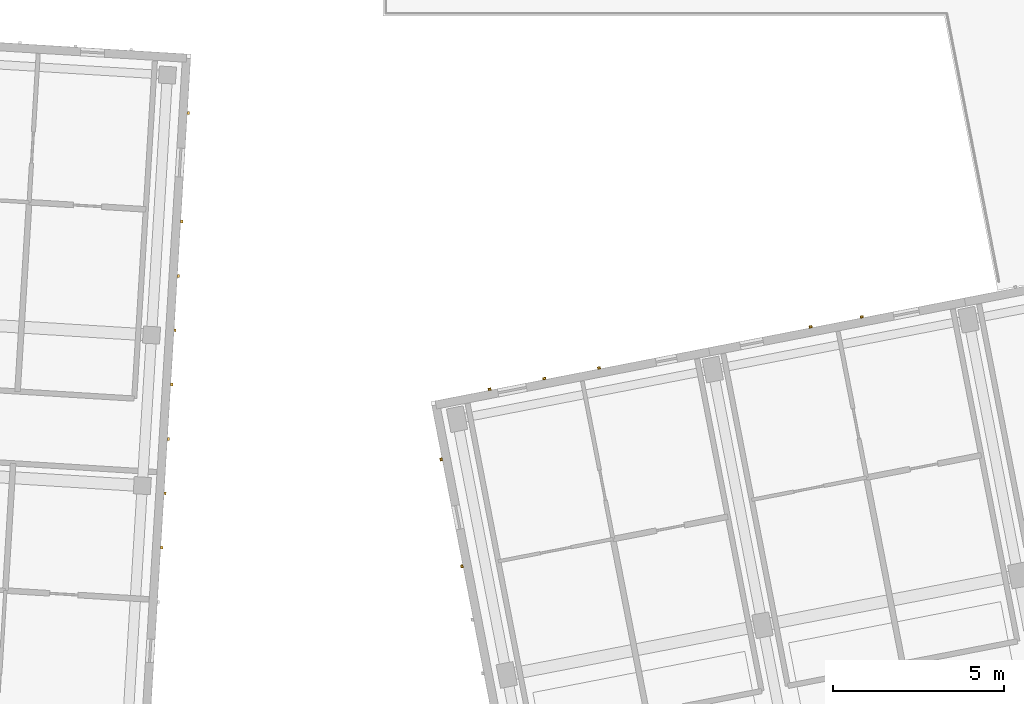
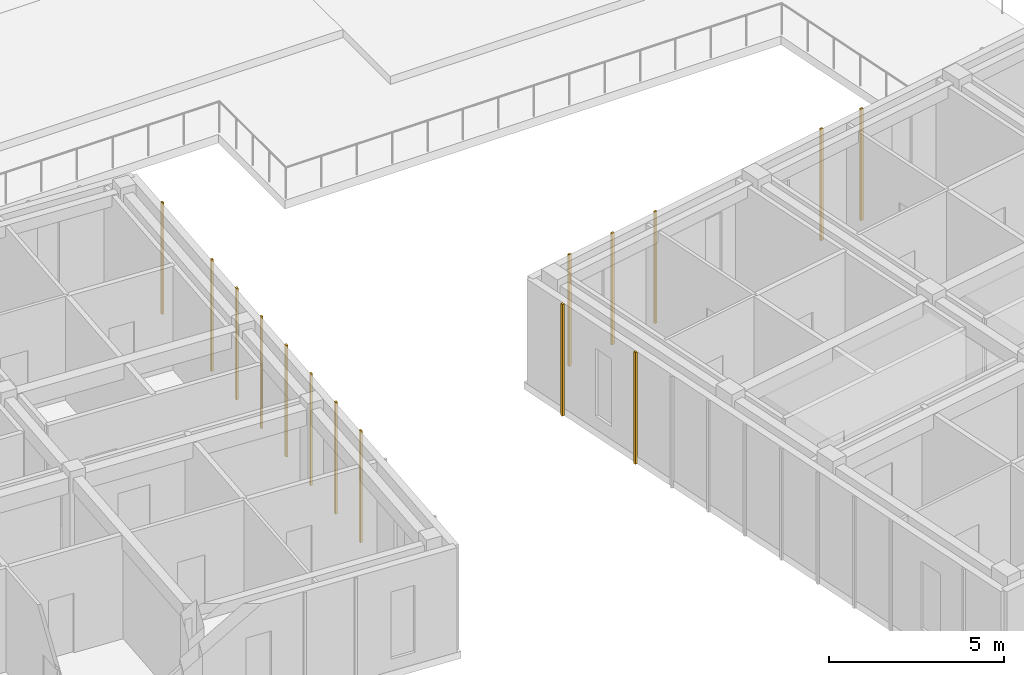
# One storey, part 120 of 150: 15 coverings.
"""IFC4 building model written with IfcOpenShell, lengths in metres."""

import ifcopenshell
import ifcopenshell.guid

model = None  # the IFC model being written
_history = None  # IfcOwnerHistory: only IFC2X3 demands one
_inside = {}  # id of a spatial element -> (the spatial element, [elements in it])
_under = {}  # id of a project, library or spatial element -> (it, [spatial elements below it])
_declared = {}  # id of a project -> (the project, [libraries it declares])
_typed = {}  # id of a type object -> (the type object, [elements of that type])
_made_of = {}  # id of a material, layer set ... -> (it, [elements and type objects made of it])


def new_model(schema):
    """Start an empty IFC model of exactly this schema.

    Asked for "IFC4X3", IfcOpenShell would pick the latest addendum, in which some entities
    have other attributes; the version numbers below select the first issue.
    IFC2X3 requires an IfcOwnerHistory on every rooted entity: one is made here for all.
    """
    global model, _history
    if schema == "IFC4X3":
        model = ifcopenshell.file(schema_version=(4, 3, 0, 0))
    else:
        model = ifcopenshell.file(schema=schema)
    _inside.clear()
    _under.clear()
    _declared.clear()
    _typed.clear()
    _made_of.clear()
    _history = None
    if model.schema == "IFC2X3":
        org = make("IfcOrganization", Name="unknown")
        user = make(
            "IfcPersonAndOrganization",
            ThePerson=make("IfcPerson", FamilyName="unknown"),
            TheOrganization=org,
        )
        app = make(
            "IfcApplication",
            ApplicationDeveloper=org,
            Version="unknown",
            ApplicationFullName="unknown",
            ApplicationIdentifier="unknown",
        )
        _history = make(
            "IfcOwnerHistory",
            OwningUser=user,
            OwningApplication=app,
            ChangeAction="ADDED",
            CreationDate=0,
        )
    return model


def make(cls, **values):
    """One entity of the class cls with the attributes given. An attribute that is None is left unset."""
    return model.create_entity(
        cls, **{name: value for name, value in values.items() if value is not None}
    )


def rooted(cls, **values):
    """An entity with a GlobalId (a new one), such as an element, a storey or a relation."""
    return make(cls, GlobalId=ifcopenshell.guid.new(), OwnerHistory=_history, **values)


def si_unit(unit_type, name, prefix=None):
    """IfcSIUnit, for example si_unit("LENGTHUNIT", "METRE", prefix="MILLI")."""
    return make("IfcSIUnit", UnitType=unit_type, Prefix=prefix, Name=name)


def assignment(units):
    """IfcUnitAssignment: the units of a project."""
    return None if units is None else make("IfcUnitAssignment", Units=units)


def point(xyz):
    """IfcCartesianPoint."""
    return None if xyz is None else make("IfcCartesianPoint", Coordinates=xyz)


def direction(xyz):
    """IfcDirection."""
    return None if xyz is None else make("IfcDirection", DirectionRatios=xyz)


def frame(location, z_axis=None, x_axis=None):
    """IfcAxis2Placement3D, a coordinate frame: its origin and axes. An axis left out is left unset."""
    return make(
        "IfcAxis2Placement3D",
        Location=point(location),
        Axis=direction(z_axis),
        RefDirection=direction(x_axis),
    )


def frame_2d(location, x_axis=None):
    """IfcAxis2Placement2D, a coordinate frame in the plane: its origin and x axis."""
    return make(
        "IfcAxis2Placement2D", Location=point(location), RefDirection=direction(x_axis)
    )


def origin():
    """The frame at (0, 0, 0) with its axes left unset."""
    return frame((0.0, 0.0, 0.0))


def origin_2d():
    """The frame at (0, 0) in the plane with its x axis left unset."""
    return frame_2d((0.0, 0.0))


def place(relative_to, where):
    """IfcLocalPlacement: puts the frame where relative to a parent placement (None: the world)."""
    return make(
        "IfcLocalPlacement", PlacementRelTo=relative_to, RelativePlacement=where
    )


def context(
    kind, dimensions, precision=None, world=None, true_north=None, identifier=None
):
    """IfcGeometricRepresentationContext, for example the 3D "Model" context."""
    return make(
        "IfcGeometricRepresentationContext",
        ContextIdentifier=identifier,
        ContextType=kind,
        CoordinateSpaceDimension=dimensions,
        Precision=precision,
        WorldCoordinateSystem=world,
        TrueNorth=true_north,
    )


def subcontext(parent, identifier, kind, view, scale=None):
    """IfcGeometricRepresentationSubContext, for example "Body" below "Model"."""
    return make(
        "IfcGeometricRepresentationSubContext",
        ContextIdentifier=identifier,
        ContextType=kind,
        ParentContext=parent,
        TargetScale=scale,
        TargetView=view,
    )


def project(units=None, contexts=None):
    """IfcProject with its units and contexts."""
    return rooted(
        "IfcProject",
        Name="project",
        RepresentationContexts=contexts,
        UnitsInContext=assignment(units),
    )


def spatial(cls, under=None, at=None, **own):
    """A site, building, storey or space (cls), placed at a placement, below another one or the project."""
    s = rooted(cls, ObjectPlacement=at, **own)
    if under is not None:
        _under.setdefault(under.id(), (under, []))[1].append(s)
    return s


def profile(cls, at=None, kind="AREA", **sizes):
    """A parametric profile (cls). Its sizes go by their IFC names, for example OverallWidth=200.0."""
    return make(cls, ProfileType=kind, Position=at, **sizes)


def rectangle(**sizes):
    """IfcRectangleProfileDef."""
    return profile("IfcRectangleProfileDef", **sizes)


def extrude(swept, where, along, depth):
    """IfcExtrudedAreaSolid: the profile swept, set in the frame where, extruded along a direction by depth."""
    return make(
        "IfcExtrudedAreaSolid",
        SweptArea=swept,
        Position=where,
        ExtrudedDirection=direction(along),
        Depth=depth,
    )


def shape(context_of_items, identifier, shape_type, items):
    """IfcShapeRepresentation: the items that make up one representation, for example the "Body"."""
    return make(
        "IfcShapeRepresentation",
        ContextOfItems=context_of_items,
        RepresentationIdentifier=identifier,
        RepresentationType=shape_type,
        Items=items,
    )


def material(Name=None, Category=None):
    """IfcMaterial."""
    return make("IfcMaterial", Name=Name, Category=Category)


def layer(
    of_material, thickness, ventilated=None, Name=None, Category=None, Priority=None
):
    """IfcMaterialLayer: one layer of a wall or slab, of a material (None: an air gap)."""
    return make(
        "IfcMaterialLayer",
        Material=of_material,
        LayerThickness=thickness,
        IsVentilated=ventilated,
        Name=Name,
        Category=Category,
        Priority=Priority,
    )


def layer_set(layers, Name=None):
    """IfcMaterialLayerSet."""
    return make("IfcMaterialLayerSet", MaterialLayers=layers, LayerSetName=Name)


def made_of(thing, what):
    """Note that an element or type object is made of a material, layer set ...; save() writes the relation."""
    if what is not None:
        _made_of.setdefault(what.id(), (what, []))[1].append(thing)
    return thing


def type_object(cls, material=None, **own):
    """A type object (cls), such as IfcWallType, which elements share."""
    return made_of(rooted(cls, **own), material)


def element(
    cls,
    number,
    at=None,
    inside=None,
    cuts=None,
    type_object=None,
    material=None,
    context=None,
    identifier="Body",
    shape_type=None,
    held_by="IfcProductDefinitionShape",
    body=None,
    shapes=None,
    **own,
):
    """One element of the class cls, such as IfcWall. Its Tag is "e" and its number.

    at: its placement. inside: the storey or other place that contains it. cuts: it is an
    opening in that element (IfcRelVoidsElement). A single representation is given by context,
    identifier, shape_type and body (its items); several are given by shapes. held_by: the class
    of the entity that holds the representations. save() writes the other relations.
    """
    e = rooted(cls, Tag="e%d" % number, ObjectPlacement=at, **own)
    if body is not None:
        shapes = [shape(context, identifier, shape_type, body)]
    if shapes is not None:
        e.Representation = make(held_by, Representations=shapes)
    if inside is not None:
        _inside.setdefault(inside.id(), (inside, []))[1].append(e)
    if cuts is not None:
        rooted(
            "IfcRelVoidsElement", RelatingBuildingElement=cuts, RelatedOpeningElement=e
        )
    if type_object is not None:
        _typed.setdefault(type_object.id(), (type_object, []))[1].append(e)
    return made_of(e, material)


def aggregate(whole, parts):
    """IfcRelAggregates: a whole, such as a stair, and the parts it consists of."""
    return rooted("IfcRelAggregates", RelatingObject=whole, RelatedObjects=parts)


def save(model, path):
    """Write the relations noted so far, then the file.

    IfcRelAggregates (storeys below a building ...), IfcRelContainedInSpatialStructure (elements
    in a storey), IfcRelDefinesByType, IfcRelAssociatesMaterial and IfcRelDeclares: one each for
    every whole, place, type object, material and project.
    """
    for whole, parts in _under.values():
        aggregate(whole, parts)
    for where, things in _inside.values():
        rooted(
            "IfcRelContainedInSpatialStructure",
            RelatedElements=things,
            RelatingStructure=where,
        )
    for kind, things in _typed.values():
        rooted("IfcRelDefinesByType", RelatedObjects=things, RelatingType=kind)
    for what, things in _made_of.values():
        rooted("IfcRelAssociatesMaterial", RelatedObjects=things, RelatingMaterial=what)
    for by, libraries in _declared.values():
        rooted("IfcRelDeclares", RelatingContext=by, RelatedDefinitions=libraries)
    model.write(path)


model = new_model("IFC4")

# Units and contexts
model_context = context("Model", 3, precision=1e-05, world=origin(), true_north=direction((0.0, 1.0)))
body_context = subcontext(model_context, "Body", "Model", "MODEL_VIEW")
ifc_project = project(units=[si_unit("LENGTHUNIT", "METRE"), si_unit("AREAUNIT", "SQUARE_METRE"), si_unit("VOLUMEUNIT", "CUBIC_METRE"), si_unit("PLANEANGLEUNIT", "RADIAN"), si_unit("MASSUNIT", "GRAM", prefix="KILO")], contexts=[model_context])

# Site, building, storey
site_placement = place(None, origin())
site = spatial("IfcSite", under=ifc_project, at=site_placement, CompositionType="ELEMENT")
building_placement = place(site_placement, origin())
building = spatial("IfcBuilding", under=site, at=building_placement, Name="Kestramere Prow Commons", CompositionType="ELEMENT")
storey_placement = place(building_placement, frame((0.0, 0.0, 4.5)))
storey = spatial("IfcBuildingStorey", under=building, at=storey_placement, Name="L01", CompositionType="ELEMENT", Elevation=4.5)

# Coverings
ifc_material = material(Name="Weathered Zinc-Titanium Standing-Seam Cladding")
ifc_layer = layer(ifc_material, 0.074951171875)
ifc_layer_set = layer_set([ifc_layer], Name="Weathered Zinc-Titanium Standing-Seam Cladding")
covering_type = type_object("IfcCoveringType", Name="COV-CLAD-SEAM", PredefinedType="CLADDING", material=ifc_layer_set)
for number, where, z_axis, x_axis, name in (
    (1, (106.82275390625, 62.1767578125, -0.25), (0.0, 0.0, 1.0), (-0.061048539535, -0.998134798422, 0.0), "EW-C-L01-EAV Standing-Seam Rib 1"),
    (2, (106.62890625, 59.005859375, -0.25), (0.0, 0.0, 1.0), (-0.061048539535, -0.998134798422, 0.0), "EW-C-L01-EAV Standing-Seam Rib 3"),
    (3, (106.531982421875, 57.42041015625, -0.25), (0.0, 0.0, 1.0), (-0.061048539535, -0.998134798422, 0.0), "EW-C-L01-EAV Standing-Seam Rib 4"),
    (4, (106.434814453125, 55.834716796875, -0.25), (0.0, 0.0, 1.0), (-0.061048539535, -0.998134798422, 0.0), "EW-C-L01-EAV Standing-Seam Rib 5"),
    (5, (106.337890625, 54.249267578125, -0.25), (0.0, 0.0, 1.0), (-0.061048539535, -0.998134798422, 0.0), "EW-C-L01-EAV Standing-Seam Rib 6"),
    (6, (106.240966796875, 52.663818359375, -0.25), (0.0, 0.0, 1.0), (-0.061048539535, -0.998134798422, 0.0), "EW-C-L01-EAV Standing-Seam Rib 7"),
    (7, (106.14404296875, 51.078369140625, -0.25), (0.0, 0.0, 1.0), (-0.061048539535, -0.998134798422, 0.0), "EW-C-L01-EAV Standing-Seam Rib 8"),
    (8, (106.047119140625, 49.492919921875, -0.25), (0.0, 0.0, 1.0), (-0.061048539535, -0.998134798422, 0.0), "EW-C-L01-EAV Standing-Seam Rib 9"),
    (9, (115.610595703125, 54.11474609375, -0.25), (0.0, 0.0, 1.0), (0.981627183448, 0.190808995377, 0.0), "EW-D-L01-N-0 Standing-Seam Rib 1"),
    (10, (117.205810546875, 54.4248046875, -0.25), (0.0, 0.0, 1.0), (0.981627183448, 0.190808995377, 0.0), "EW-D-L01-N-0 Standing-Seam Rib 2"),
    (11, (118.801025390625, 54.73486328125, -0.25), (0.0, 0.0, 1.0), (0.981627183448, 0.190808995377, 0.0), "EW-D-L01-N-0 Standing-Seam Rib 3"),
    (12, (124.975341796875, 55.93505859375, -0.25), (0.0, 0.0, 1.0), (0.981627183448, 0.190808995377, 0.0), "EW-D-L01-N-1 Standing-Seam Rib 2"),
    (13, (126.467529296875, 56.22509765625, -0.25), (0.0, 0.0, 1.0), (0.981627183448, 0.190808995377, 0.0), "EW-D-L01-N-1 Standing-Seam Rib 3"),
    (14, (114.80419921875, 48.9482421875, -0.25), (0.0, 0.0, 1.0), (-0.190808995377, 0.981627183448, 0.0), "EW-D-L01-EAV Standing-Seam Rib 10"),
    (15, (114.197998046875, 52.066650390625, -0.25), (0.0, 0.0, 1.0), (-0.190808995377, 0.981627183448, 0.0), "EW-D-L01-EAV Standing-Seam Rib 12"),
):
    element("IfcCovering", number, at=place(storey_placement, frame(where, z_axis=z_axis, x_axis=x_axis)), inside=storey, type_object=covering_type, Name=name, PredefinedType="CLADDING", context=body_context, shape_type="SweptSolid", body=[
        extrude(rectangle(XDim=0.0849609375, YDim=0.06494140625, at=origin_2d()), origin(), (0.0, 0.0, 1.0), 3.89990234375),
    ])

save(model, "model.ifc")
